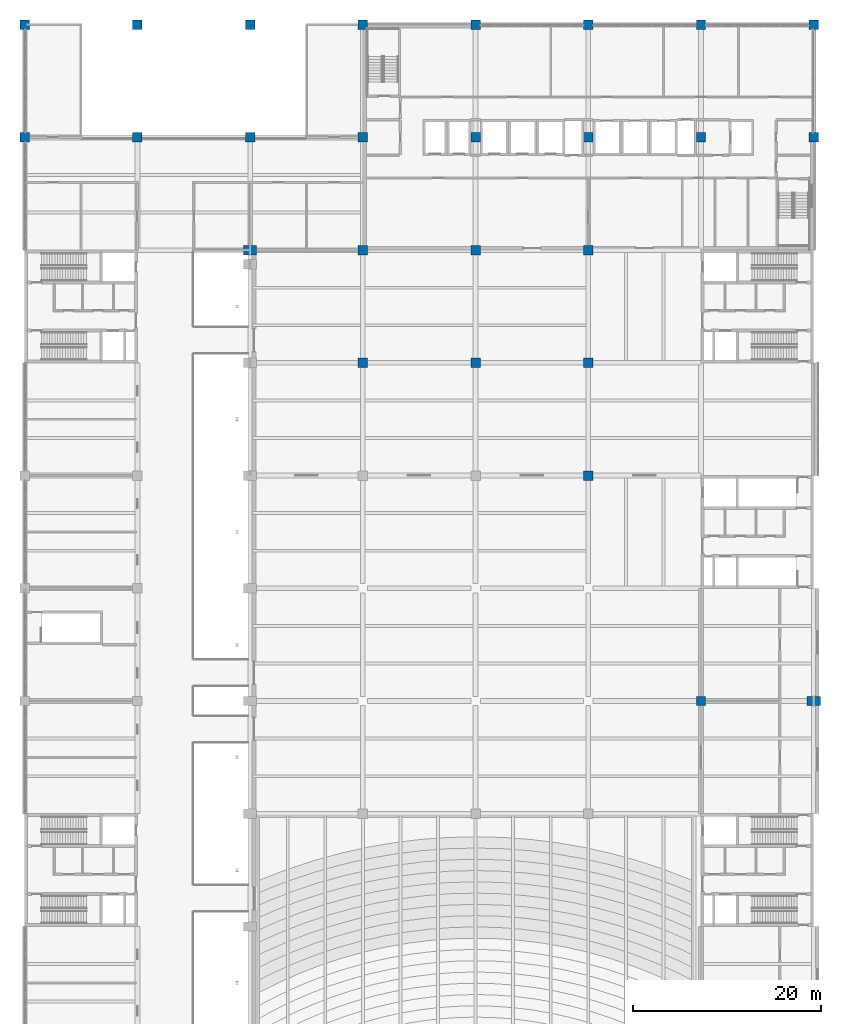
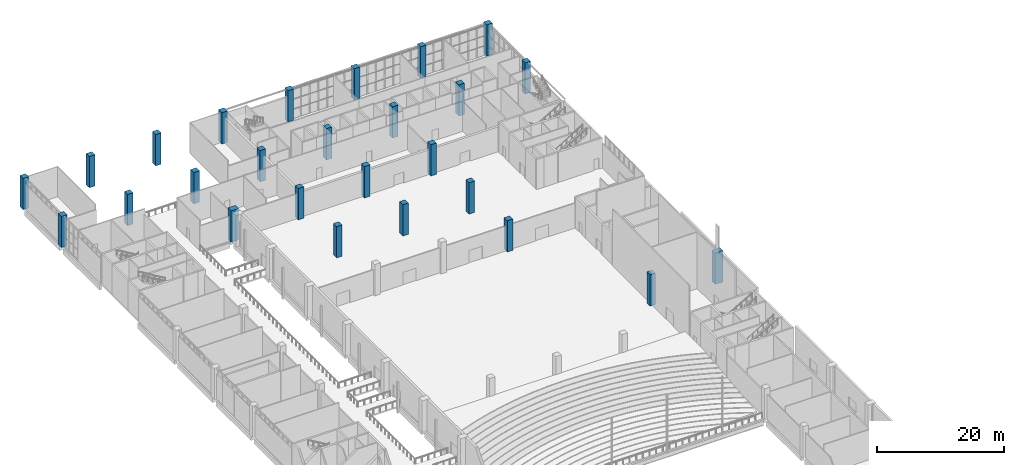
# One storey, part 11 of 72: 26 columns.
"""IFC4 building model written with IfcOpenShell, lengths in metres."""

from ifc_helpers import new_model, si_unit, direction, frame, origin, origin_2d, place, context, subcontext, project, spatial, rectangle, extrude, material, material_profile, profile_set, type_object, element, save


model = new_model("IFC4")

# Units and contexts
model_context = context("Model", 3, precision=1e-05, world=origin(), true_north=direction((0.0, 1.0)))
body_context = subcontext(model_context, "Body", "Model", "MODEL_VIEW")
ifc_project = project(units=[si_unit("LENGTHUNIT", "METRE"), si_unit("AREAUNIT", "SQUARE_METRE"), si_unit("VOLUMEUNIT", "CUBIC_METRE"), si_unit("PLANEANGLEUNIT", "RADIAN"), si_unit("MASSUNIT", "GRAM", prefix="KILO")], contexts=[model_context])

# Site, building, storey
site_placement = place(None, origin())
site = spatial("IfcSite", under=ifc_project, at=site_placement, CompositionType="ELEMENT")
building_placement = place(site_placement, origin())
building = spatial("IfcBuilding", under=site, at=building_placement, Name="Lilac Gate Convention Centre", CompositionType="ELEMENT")
storey_placement = place(building_placement, frame((0.0, 0.0, 6.0)))
storey = spatial("IfcBuildingStorey", under=building, at=storey_placement, Name="L01", CompositionType="ELEMENT", Elevation=6.0)

# Columns
ifc_material_1 = material(Name="Concrete C40", Category="concrete")
ifc_material_profile_1 = material_profile(ifc_material_1, rectangle(XDim=1.0, YDim=1.0, at=origin_2d()), Name="RC 1000x1000")
ifc_profile_set_1 = profile_set([ifc_material_profile_1], Name="Concrete C40")
column_type_1 = type_object("IfcColumnType", Name="RC column 1000x1000 C40", PredefinedType="COLUMN", material=ifc_profile_set_1)
for number, where, z_axis, x_axis, name in (
    (1, (6.0, 234.0, 0.0), (0.0, 0.0, 1.0), (1.0, 0.0, 0.0), "C1 L01 at 1/T"),
    (2, (6.0, 246.0, 0.0), (0.0, 0.0, 1.0), (1.0, 0.0, 0.0), "C1 L01 at 1/U"),
    (3, (18.0, 234.0, 0.0), (0.0, 0.0, 1.0), (1.0, 0.0, 0.0), "C1 L01 at 2/T"),
    (4, (18.0, 246.0, 0.0), (0.0, 0.0, 1.0), (1.0, 0.0, 0.0), "C1 L01 at 2/U"),
    (5, (30.0, 234.0, 0.0), (0.0, 0.0, 1.0), (1.0, 0.0, 0.0), "C1 L01 at 3/T"),
    (6, (30.0, 246.0, 0.0), (0.0, 0.0, 1.0), (1.0, 0.0, 0.0), "C1 L01 at 3/U"),
    (7, (42.0, 210.0, 0.0), (0.0, 0.0, 1.0), (1.0, 0.0, 0.0), "C1 L01 at 4/R"),
    (8, (54.0, 210.0, 0.0), (0.0, 0.0, 1.0), (1.0, 0.0, 0.0), "C1 L01 at 5/R"),
    (9, (66.0, 198.0, 0.0), (0.0, 0.0, 1.0), (1.0, 0.0, 0.0), "C1 L01 at 6/Q"),
    (10, (66.0, 210.0, 0.0), (0.0, 0.0, 1.0), (1.0, 0.0, 0.0), "C1 L01 at 6/R"),
    (11, (78.0, 174.0, 0.0), (0.0, 0.0, 1.0), (1.0, 0.0, 0.0), "C1 L01 at 7/N"),
):
    element("IfcColumn", number, at=place(storey_placement, frame(where, z_axis=z_axis, x_axis=x_axis)), inside=storey, type_object=column_type_1, Name=name, PredefinedType="COLUMN", context=body_context, shape_type="SweptSolid", body=[
        extrude(rectangle(XDim=1.0, YDim=1.0, at=origin_2d()), origin(), (0.0, 0.0, 1.0), 6.0),
    ])
ifc_material_profile_2 = material_profile(ifc_material_1, rectangle(XDim=1.39990234375, YDim=1.0, at=origin_2d()), Name="RC 1400x1000")
ifc_profile_set_2 = profile_set([ifc_material_profile_2], Name="Concrete C40")
column_type_2 = type_object("IfcColumnType", Name="RC hall column 1400x1000 C40", PredefinedType="COLUMN", material=ifc_profile_set_2)
for number, where, z_axis, x_axis, name in (
    (12, (30.0, 222.0, 0.0), (0.0, 0.0, 1.0), (1.0, 0.0, 0.0), "C2 L01 at 3/S"),
    (13, (90.0, 174.0, 0.0), (0.0, 0.0, 1.0), (1.0, 0.0, 0.0), "C2 L01 at 8/N"),
):
    element("IfcColumn", number, at=place(storey_placement, frame(where, z_axis=z_axis, x_axis=x_axis)), inside=storey, type_object=column_type_2, Name=name, PredefinedType="COLUMN", context=body_context, shape_type="SweptSolid", body=[
        extrude(rectangle(XDim=1.39990234375, YDim=1.0, at=origin_2d()), origin(), (0.0, 0.0, 1.0), 6.0),
    ])
ifc_material_2 = material(Name="Concrete C50", Category="concrete")
ifc_material_profile_3 = material_profile(ifc_material_2, rectangle(XDim=1.0, YDim=1.0, at=origin_2d()), Name="RC 1000x1000")
ifc_profile_set_3 = profile_set([ifc_material_profile_3], Name="Concrete C50")
column_type_3 = type_object("IfcColumnType", Name="RC tower column 1000x1000 C50", PredefinedType="COLUMN", material=ifc_profile_set_3)
for number, where, z_axis, x_axis, name in (
    (14, (42.0, 222.0, 0.0), (0.0, 0.0, 1.0), (1.0, 0.0, 0.0), "C3 L01 at 4/S"),
    (15, (42.0, 234.0, 0.0), (0.0, 0.0, 1.0), (1.0, 0.0, 0.0), "C3 L01 at 4/T"),
    (16, (42.0, 246.0, 0.0), (0.0, 0.0, 1.0), (1.0, 0.0, 0.0), "C3 L01 at 4/U"),
    (17, (54.0, 222.0, 0.0), (0.0, 0.0, 1.0), (1.0, 0.0, 0.0), "C3 L01 at 5/S"),
    (18, (54.0, 234.0, 0.0), (0.0, 0.0, 1.0), (1.0, 0.0, 0.0), "C3 L01 at 5/T"),
    (19, (54.0, 246.0, 0.0), (0.0, 0.0, 1.0), (1.0, 0.0, 0.0), "C3 L01 at 5/U"),
    (20, (66.0, 222.0, 0.0), (0.0, 0.0, 1.0), (1.0, 0.0, 0.0), "C3 L01 at 6/S"),
    (21, (66.0, 234.0, 0.0), (0.0, 0.0, 1.0), (1.0, 0.0, 0.0), "C3 L01 at 6/T"),
    (22, (66.0, 246.0, 0.0), (0.0, 0.0, 1.0), (1.0, 0.0, 0.0), "C3 L01 at 6/U"),
    (23, (78.0, 234.0, 0.0), (0.0, 0.0, 1.0), (1.0, 0.0, 0.0), "C3 L01 at 7/T"),
    (24, (78.0, 246.0, 0.0), (0.0, 0.0, 1.0), (1.0, 0.0, 0.0), "C3 L01 at 7/U"),
    (25, (90.0, 234.0, 0.0), (0.0, 0.0, 1.0), (1.0, 0.0, 0.0), "C3 L01 at 8/T"),
    (26, (90.0, 246.0, 0.0), (0.0, 0.0, 1.0), (1.0, 0.0, 0.0), "C3 L01 at 8/U"),
):
    element("IfcColumn", number, at=place(storey_placement, frame(where, z_axis=z_axis, x_axis=x_axis)), inside=storey, type_object=column_type_3, Name=name, PredefinedType="COLUMN", context=body_context, shape_type="SweptSolid", body=[
        extrude(rectangle(XDim=1.0, YDim=1.0, at=origin_2d()), origin(), (0.0, 0.0, 1.0), 6.0),
    ])

save(model, "model.ifc")
